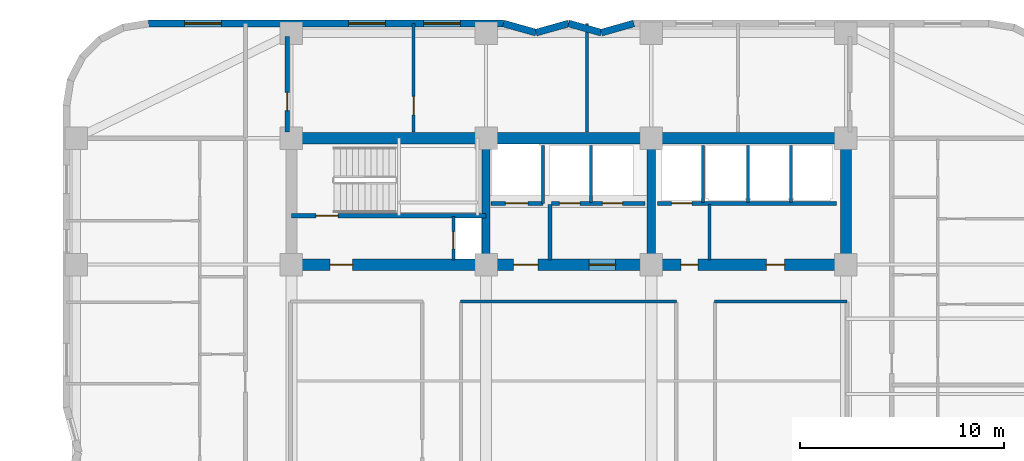
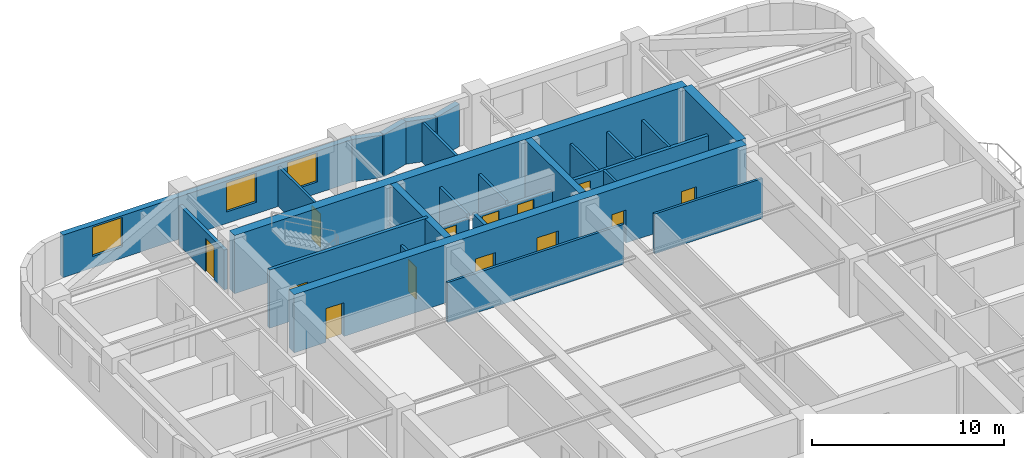
# One storey, part 6 of 9: 27 walls, 13 doors, 3 windows, 16 openings.
"""IFC4 building model written with IfcOpenShell, lengths in metres."""

from ifc_helpers import new_model, si_unit, direction, frame, frame_2d, origin, place, context, subcontext, project, spatial, rectangle, extrude, material, layer, layer_set, type_object, element, fill, save


model = new_model("IFC4")

# Units and contexts
model_context = context("Model", 3, precision=1e-05, world=origin(), true_north=direction((0.0, 1.0)))
body_context = subcontext(model_context, "Body", "Model", "MODEL_VIEW")
ifc_project = project(units=[si_unit("LENGTHUNIT", "METRE"), si_unit("AREAUNIT", "SQUARE_METRE"), si_unit("VOLUMEUNIT", "CUBIC_METRE"), si_unit("PLANEANGLEUNIT", "RADIAN"), si_unit("MASSUNIT", "GRAM", prefix="KILO")], contexts=[model_context])

# Site, building, storey
site_placement = place(None, origin())
site = spatial("IfcSite", under=ifc_project, at=site_placement, CompositionType="ELEMENT")
building_placement = place(site_placement, origin())
building = spatial("IfcBuilding", under=site, at=building_placement, Name="Svetorya Sky Lyceum", CompositionType="ELEMENT")
storey_placement = place(building_placement, frame((0.0, 0.0, 92.0)))
storey = spatial("IfcBuildingStorey", under=building, at=storey_placement, Name="L22", CompositionType="ELEMENT", Elevation=92.0)

# Walls
ifc_material_1 = material(Name="Concrete C40/50", Category="concrete")
ifc_layer_1 = layer(ifc_material_1, 0.39990234375)
ifc_layer_set_1 = layer_set([ifc_layer_1], Name="Concrete C40/50")
wall_type_1 = type_object("IfcWallType", Name="WL-CORE-400", PredefinedType="SHEAR", material=ifc_layer_set_1)
for number, where, z_axis, x_axis, name in (
    (1, (35.14990234375, 39.875, 0.0), (0.0, 0.0, 1.0), (0.0, 1.0, 0.0), "L22 NC Internal Shear Web WEB1"),
    (2, (43.25, 39.875, 0.0), (0.0, 0.0, 1.0), (0.0, 1.0, 0.0), "L22 NC Internal Shear Web WEB2"),
):
    element("IfcWall", number, at=place(storey_placement, frame(where, z_axis=z_axis, x_axis=x_axis)), inside=storey, type_object=wall_type_1, Name=name, PredefinedType="SHEAR", context=body_context, shape_type="SweptSolid", body=[
        extrude(rectangle(XDim=5.64990234375, YDim=0.39990234375, at=frame_2d((2.824951171875, 0.0))), origin(), (0.0, 0.0, 1.0), 3.699951171875),
    ])
ifc_material_2 = material(Name="Concrete C60/75", Category="concrete")
ifc_layer_2 = layer(ifc_material_2, 0.550048828125)
ifc_layer_set_2 = layer_set([ifc_layer_2], Name="Concrete C60/75")
wall_type_2 = type_object("IfcWallType", Name="WL-CORE-550", PredefinedType="SHEAR", material=ifc_layer_set_2)
wall_1_placement = place(storey_placement, frame((25.60009765625, 45.800048828125, 0.0), z_axis=(0.0, 0.0, 1.0), x_axis=(1.0, 0.0, 0.0)))
element("IfcWall", 3, at=wall_1_placement, inside=storey, type_object=wall_type_2, Name="L22 NC Outer Core Shear Wall", PredefinedType="SHEAR", context=body_context, shape_type="SweptSolid", body=[
    extrude(rectangle(XDim=27.199951171875, YDim=0.550048828125, at=frame_2d((13.60009765625, 0.0))), origin(), (0.0, 0.0, 1.0), 3.699951171875),
])
wall_2_placement = place(storey_placement, frame((52.800048828125, 39.875, 0.0), z_axis=(0.0, 0.0, 1.0), x_axis=(0.0, 1.0, 0.0)))
element("IfcWall", 4, at=wall_2_placement, inside=storey, type_object=wall_type_2, Name="L22 NC East Core Shear Wall", PredefinedType="SHEAR", context=body_context, shape_type="SweptSolid", body=[
    extrude(rectangle(XDim=5.64990234375, YDim=0.550048828125, at=frame_2d((2.824951171875, 0.0))), origin(), (0.0, 0.0, 1.0), 3.699951171875),
])

# Wall, openings, doors
wall_3_placement = place(storey_placement, frame((52.800048828125, 39.60009765625, 0.0), z_axis=(0.0, 0.0, 1.0), x_axis=(-1.0, 0.0, 0.0)))
wall_3 = element("IfcWall", 5, at=wall_3_placement, inside=storey, type_object=wall_type_2, Name="L22 NC Inner Core Shear Wall", PredefinedType="SHEAR", context=body_context, shape_type="SweptSolid", body=[
    extrude(rectangle(XDim=27.199951171875, YDim=0.550048828125, at=frame_2d((13.60009765625, 0.0))), origin(), (0.0, 0.0, 1.0), 3.699951171875),
])
opening_1_placement = place(wall_3_placement, frame((24.199951171875, 0.0, 0.0)))
opening_1 = element("IfcOpeningElement", 6, at=opening_1_placement, cuts=wall_3, Name="Opening D-ST1", PredefinedType="OPENING", context=body_context, shape_type="SweptSolid", body=[
    extrude(rectangle(XDim=1.10009765625, YDim=2.14990234375, at=frame_2d((0.550048828125, 1.074951171875))), frame((0.0, 0.284912109375, 0.0), z_axis=(0.0, -1.0, 0.0), x_axis=(1.0, 0.0, 0.0)), (0.0, 0.0, 1.0), 0.570068359375),
])
opening_2_placement = place(wall_3_placement, frame((15.10009765625, 0.0, 0.0)))
opening_2 = element("IfcOpeningElement", 7, at=opening_2_placement, cuts=wall_3, Name="Opening D-FL1", PredefinedType="OPENING", context=body_context, shape_type="SweptSolid", body=[
    extrude(rectangle(XDim=1.199951171875, YDim=2.14990234375, at=frame_2d((0.60009765625, 1.074951171875))), frame((0.0, 0.284912109375, 0.0), z_axis=(0.0, -1.0, 0.0), x_axis=(1.0, 0.0, 0.0)), (0.0, 0.0, 1.0), 0.570068359375),
])
opening_3_placement = place(wall_3_placement, frame((11.300048828125, 0.0, 0.0)))
opening_3 = element("IfcOpeningElement", 8, at=opening_3_placement, cuts=wall_3, Name="Opening D-LB1", PredefinedType="OPENING", context=body_context, shape_type="SweptSolid", body=[
    extrude(rectangle(XDim=1.300048828125, YDim=2.199951171875, at=frame_2d((0.64990234375, 1.10009765625))), frame((0.0, 0.284912109375, 0.0), z_axis=(0.0, -1.0, 0.0), x_axis=(1.0, 0.0, 0.0)), (0.0, 0.0, 1.0), 0.570068359375),
])
opening_4_placement = place(wall_3_placement, frame((7.25, 0.0, 0.0)))
opening_4 = element("IfcOpeningElement", 9, at=opening_4_placement, cuts=wall_3, Name="Opening D-CWC1", PredefinedType="OPENING", context=body_context, shape_type="SweptSolid", body=[
    extrude(rectangle(XDim=0.85009765625, YDim=2.10009765625, at=frame_2d((0.425048828125, 1.050048828125))), frame((0.0, 0.284912109375, 0.0), z_axis=(0.0, -1.0, 0.0), x_axis=(1.0, 0.0, 0.0)), (0.0, 0.0, 1.0), 0.570068359375),
])
opening_5_placement = place(wall_3_placement, frame((3.0, 0.0, 0.0)))
opening_5 = element("IfcOpeningElement", 10, at=opening_5_placement, cuts=wall_3, Name="Opening D-RM1", PredefinedType="OPENING", context=body_context, shape_type="SweptSolid", body=[
    extrude(rectangle(XDim=0.89990234375, YDim=2.10009765625, at=frame_2d((0.449951171875, 1.050048828125))), frame((0.0, 0.284912109375, 0.0), z_axis=(0.0, -1.0, 0.0), x_axis=(1.0, 0.0, 0.0)), (0.0, 0.0, 1.0), 0.570068359375),
])
ifc_material_3 = material(Name="Fire-rated galvanized steel core service closet door", Category="steel")
door_type_1 = type_object("IfcDoorType", Name="DR-CWET-850", OperationType="SINGLE_SWING_LEFT", PredefinedType="DOOR", material=ifc_material_3)
door_1_placement = place(opening_4_placement, origin())
door_1 = element("IfcDoor", 11, at=door_1_placement, inside=storey, type_object=door_type_1, Name="L22 Mid-Rise Lift PM3 Lobby Door", OperationType="SINGLE_SWING_LEFT", OverallHeight=2.10009765625, OverallWidth=0.85009765625, PredefinedType="DOOR", context=body_context, shape_type="SweptSolid", body=[
    extrude(rectangle(XDim=0.85009765625, YDim=2.10009765625, at=frame_2d((0.425048828125, 1.050048828125))), frame((0.0, 0.02490234375, 0.0), z_axis=(0.0, -1.0, 0.0), x_axis=(1.0, 0.0, 0.0)), (0.0, 0.0, 1.0), 0.050048828125),
])
fill(opening_4, door_1)
ifc_material_4 = material(Name="Powder-coated insulated galvanized stair fire door")
door_type_2 = type_object("IfcDoorType", Name="DR-FIRE-1100", OperationType="SINGLE_SWING_LEFT", PredefinedType="DOOR", material=ifc_material_4)
door_2_placement = place(opening_1_placement, origin())
door_2 = element("IfcDoor", 12, at=door_2_placement, inside=storey, type_object=door_type_2, Name="L22 North Stair Airlock Door", OperationType="SINGLE_SWING_LEFT", OverallHeight=2.14990234375, OverallWidth=1.10009765625, PredefinedType="DOOR", context=body_context, shape_type="SweptSolid", body=[
    extrude(rectangle(XDim=1.10009765625, YDim=2.14990234375, at=frame_2d((0.550048828125, 1.074951171875))), frame((0.0, 0.02490234375, 0.0), z_axis=(0.0, -1.0, 0.0), x_axis=(1.0, 0.0, 0.0)), (0.0, 0.0, 1.0), 0.050048828125),
])
fill(opening_1, door_2)
ifc_material_5 = material(Name="Powder-coated insulated galvanized fire door")
door_type_3 = type_object("IfcDoorType", Name="DR-FIRE-1200", OperationType="SINGLE_SWING_LEFT", PredefinedType="DOOR", material=ifc_material_5)
door_3_placement = place(opening_2_placement, origin())
door_3 = element("IfcDoor", 13, at=door_3_placement, inside=storey, type_object=door_type_3, Name="L22 North Firefighting Lift Lobby Door", OperationType="SINGLE_SWING_RIGHT", OverallHeight=2.14990234375, OverallWidth=1.199951171875, PredefinedType="DOOR", context=body_context, shape_type="SweptSolid", body=[
    extrude(rectangle(XDim=1.199951171875, YDim=2.14990234375, at=frame_2d((0.60009765625, 1.074951171875))), frame((0.0, 0.02490234375, 0.0), z_axis=(0.0, -1.0, 0.0), x_axis=(1.0, 0.0, 0.0)), (0.0, 0.0, 1.0), 0.050048828125),
])
fill(opening_2, door_3)
ifc_material_6 = material(Name="Lacquered birch veneer internal door")
door_type_4 = type_object("IfcDoorType", Name="DR-INT-900", OperationType="SINGLE_SWING_LEFT", PredefinedType="DOOR", material=ifc_material_6)
door_4_placement = place(opening_5_placement, origin())
door_4 = element("IfcDoor", 14, at=door_4_placement, inside=storey, type_object=door_type_4, Name="L22 Mid-Rise Store Door", OperationType="SINGLE_SWING_RIGHT", OverallHeight=2.10009765625, OverallWidth=0.89990234375, PredefinedType="DOOR", context=body_context, shape_type="SweptSolid", body=[
    extrude(rectangle(XDim=0.89990234375, YDim=2.10009765625, at=frame_2d((0.449951171875, 1.050048828125))), frame((0.0, 0.02490234375, 0.0), z_axis=(0.0, -1.0, 0.0), x_axis=(1.0, 0.0, 0.0)), (0.0, 0.0, 1.0), 0.050048828125),
])
fill(opening_5, door_4)
ifc_material_7 = material(Name="Glazed fire-rated aluminium lobby door", Category="aluminium")
door_type_5 = type_object("IfcDoorType", Name="DR-LOB-1300", OperationType="SINGLE_SWING_LEFT", PredefinedType="DOOR", material=ifc_material_7)
door_5_placement = place(opening_3_placement, origin())
door_5 = element("IfcDoor", 15, at=door_5_placement, inside=storey, type_object=door_type_5, Name="L22 Mid-Rise Lift Lobby West Door", OperationType="SINGLE_SWING_LEFT", OverallHeight=2.199951171875, OverallWidth=1.300048828125, PredefinedType="DOOR", context=body_context, shape_type="SweptSolid", body=[
    extrude(rectangle(XDim=1.300048828125, YDim=2.199951171875, at=frame_2d((0.64990234375, 1.10009765625))), frame((0.0, 0.02490234375, 0.0), z_axis=(0.0, -1.0, 0.0), x_axis=(1.0, 0.0, 0.0)), (0.0, 0.0, 1.0), 0.050048828125),
])
fill(opening_3, door_5)

# Walls
ifc_material_8 = material(Name="Putilovo limestone rainscreen on autoclaved cellular masonry", Category="masonry")
ifc_layer_3 = layer(ifc_material_8, 0.340087890625)
ifc_layer_set_3 = layer_set([ifc_layer_3], Name="Putilovo limestone rainscreen on autoclaved cellular masonry")
wall_type_3 = type_object("IfcWallType", Name="WL-EXT-340", PredefinedType="SOLIDWALL", material=ifc_layer_set_3)
wall_4_placement = place(storey_placement, frame((42.39990234375, 51.429931640625, 0.0), z_axis=(0.0, 0.0, 1.0), x_axis=(-0.962652136636, -0.270741322725, 0.0)))
element("IfcWall", 16, at=wall_4_placement, inside=storey, type_object=wall_type_3, Name="L22 Limestone Exterior Wall 30M", PredefinedType="SOLIDWALL", context=body_context, shape_type="SweptSolid", body=[
    extrude(rectangle(XDim=1.661865234375, YDim=0.340087890625, at=frame_2d((0.8310546875, 0.0))), origin(), (0.0, 0.0, 1.0), 2.699951171875),
])
wall_5_placement = place(storey_placement, frame((40.800048828125, 50.97998046875, 0.0), z_axis=(0.0, 0.0, 1.0), x_axis=(-0.962662902433, 0.270703040766, 0.0)))
element("IfcWall", 17, at=wall_5_placement, inside=storey, type_object=wall_type_3, Name="L22 Limestone Exterior Wall 31M", PredefinedType="SOLIDWALL", context=body_context, shape_type="SweptSolid", body=[
    extrude(rectangle(XDim=1.662109375, YDim=0.340087890625, at=frame_2d((0.8310546875, 0.0))), origin(), (0.0, 0.0, 1.0), 2.699951171875),
])
wall_6_placement = place(storey_placement, frame((39.199951171875, 51.429931640625, 0.0), z_axis=(0.0, 0.0, 1.0), x_axis=(-0.962652136636, -0.270741322725, 0.0)))
element("IfcWall", 18, at=wall_6_placement, inside=storey, type_object=wall_type_3, Name="L22 Limestone Exterior Wall 32M", PredefinedType="SOLIDWALL", context=body_context, shape_type="SweptSolid", body=[
    extrude(rectangle(XDim=1.661865234375, YDim=0.340087890625, at=frame_2d((0.8310546875, 0.0))), origin(), (0.0, 0.0, 1.0), 2.699951171875),
])
wall_7_placement = place(storey_placement, frame((37.60009765625, 50.97998046875, 0.0), z_axis=(0.0, 0.0, 1.0), x_axis=(-0.962662902433, 0.270703040766, 0.0)))
element("IfcWall", 19, at=wall_7_placement, inside=storey, type_object=wall_type_3, Name="L22 Limestone Exterior Wall 33M", PredefinedType="SOLIDWALL", context=body_context, shape_type="SweptSolid", body=[
    extrude(rectangle(XDim=1.662109375, YDim=0.340087890625, at=frame_2d((0.8310546875, 0.0))), origin(), (0.0, 0.0, 1.0), 2.699951171875),
])

# Wall, openings, windows
wall_8_placement = place(storey_placement, frame((36.0, 51.429931640625, 0.0), z_axis=(0.0, 0.0, 1.0), x_axis=(-1.0, 0.0, 0.0)))
wall_8 = element("IfcWall", 20, at=wall_8_placement, inside=storey, type_object=wall_type_3, Name="L22 Limestone Exterior Wall 34M", PredefinedType="SOLIDWALL", context=body_context, shape_type="SweptSolid", body=[
    extrude(rectangle(XDim=17.39990234375, YDim=0.340087890625, at=frame_2d((8.699951171875, 0.0))), origin(), (0.0, 0.0, 1.0), 2.699951171875),
])
opening_6_placement = place(wall_8_placement, frame((2.112548828125, 0.0, 0.72998046875)))
opening_6 = element("IfcOpeningElement", 21, at=opening_6_placement, cuts=wall_8, Name="Opening W-R1", PredefinedType="OPENING", context=body_context, shape_type="SweptSolid", body=[
    extrude(rectangle(XDim=1.800048828125, YDim=1.85009765625, at=frame_2d((0.89990234375, 0.925048828125))), frame((0.0, 0.179931640625, 0.0), z_axis=(0.0, -1.0, 0.0), x_axis=(1.0, 0.0, 0.0)), (0.0, 0.0, 1.0), 0.360107421875),
])
opening_7_placement = place(wall_8_placement, frame((5.78759765625, 0.0, 0.72998046875)))
opening_7 = element("IfcOpeningElement", 22, at=opening_7_placement, cuts=wall_8, Name="Opening W-R1", PredefinedType="OPENING", context=body_context, shape_type="SweptSolid", body=[
    extrude(rectangle(XDim=1.800048828125, YDim=1.85009765625, at=frame_2d((0.89990234375, 0.925048828125))), frame((0.0, 0.179931640625, 0.0), z_axis=(0.0, -1.0, 0.0), x_axis=(1.0, 0.0, 0.0)), (0.0, 0.0, 1.0), 0.360107421875),
])
opening_8_placement = place(wall_8_placement, frame((13.83740234375, 0.0, 0.72998046875)))
opening_8 = element("IfcOpeningElement", 23, at=opening_8_placement, cuts=wall_8, Name="Opening W-R1", PredefinedType="OPENING", context=body_context, shape_type="SweptSolid", body=[
    extrude(rectangle(XDim=1.800048828125, YDim=1.85009765625, at=frame_2d((0.89990234375, 0.925048828125))), frame((0.0, 0.179931640625, 0.0), z_axis=(0.0, -1.0, 0.0), x_axis=(1.0, 0.0, 0.0)), (0.0, 0.0, 1.0), 0.360107421875),
])
ifc_material_9 = material(Name="Thermally broken aluminium frame with triple low-E glazing", Category="aluminium")
window_type = type_object("IfcWindowType", Name="WN-RES-180", PartitioningType="DOUBLE_PANEL_VERTICAL", PredefinedType="WINDOW", material=ifc_material_9)
window_1_placement = place(opening_6_placement, origin())
window_1 = element("IfcWindow", 24, at=window_1_placement, inside=storey, type_object=window_type, Name="L22 Facade Window W-R1.34M.1", OverallHeight=1.85009765625, OverallWidth=1.800048828125, PartitioningType="SINGLE_PANEL", PredefinedType="WINDOW", context=body_context, shape_type="SweptSolid", body=[
    extrude(rectangle(XDim=1.800048828125, YDim=1.85009765625, at=frame_2d((0.89990234375, 0.925048828125))), frame((0.0, 0.030029296875, 0.0), z_axis=(0.0, -1.0, 0.0), x_axis=(1.0, 0.0, 0.0)), (0.0, 0.0, 1.0), 0.06005859375),
])
fill(opening_6, window_1)
window_2_placement = place(opening_7_placement, origin())
window_2 = element("IfcWindow", 25, at=window_2_placement, inside=storey, type_object=window_type, Name="L22 Facade Window W-R1.34M.2", OverallHeight=1.85009765625, OverallWidth=1.800048828125, PartitioningType="SINGLE_PANEL", PredefinedType="WINDOW", context=body_context, shape_type="SweptSolid", body=[
    extrude(rectangle(XDim=1.800048828125, YDim=1.85009765625, at=frame_2d((0.89990234375, 0.925048828125))), frame((0.0, 0.030029296875, 0.0), z_axis=(0.0, -1.0, 0.0), x_axis=(1.0, 0.0, 0.0)), (0.0, 0.0, 1.0), 0.06005859375),
])
fill(opening_7, window_2)
window_3_placement = place(opening_8_placement, origin())
window_3 = element("IfcWindow", 26, at=window_3_placement, inside=storey, type_object=window_type, Name="L22 Facade Window W-R1.34M.3", OverallHeight=1.85009765625, OverallWidth=1.800048828125, PartitioningType="SINGLE_PANEL", PredefinedType="WINDOW", context=body_context, shape_type="SweptSolid", body=[
    extrude(rectangle(XDim=1.800048828125, YDim=1.85009765625, at=frame_2d((0.89990234375, 0.925048828125))), frame((0.0, 0.030029296875, 0.0), z_axis=(0.0, -1.0, 0.0), x_axis=(1.0, 0.0, 0.0)), (0.0, 0.0, 1.0), 0.06005859375),
])
fill(opening_8, window_3)

# Wall, opening, door
ifc_material_10 = material(Name="Autoclaved cellular masonry blockwork with acoustic render", Category="masonry")
ifc_layer_4 = layer(ifc_material_10, 0.14990234375)
ifc_layer_set_4 = layer_set([ifc_layer_4], Name="Autoclaved cellular masonry blockwork with acoustic render")
wall_type_4 = type_object("IfcWallType", Name="WL-PART-150", PredefinedType="PARTITIONING", material=ifc_layer_set_4)
wall_9_placement = place(storey_placement, frame((33.550048828125, 39.820068359375, 0.0), z_axis=(0.0, 0.0, 1.0), x_axis=(0.0, 1.0, 0.0)))
wall_9 = element("IfcWall", 27, at=wall_9_placement, inside=storey, type_object=wall_type_4, Name="L22 Interior Partition NC-RSRW", PredefinedType="PARTITIONING", context=body_context, shape_type="SweptSolid", body=[
    extrude(rectangle(XDim=2.1298828125, YDim=0.14990234375, at=frame_2d((1.06494140625, 0.0))), origin(), (0.0, 0.0, 1.0), 2.530029296875),
])
opening_9_placement = place(wall_9_placement, frame((0.550048828125, 0.0, 0.0)))
opening_9 = element("IfcOpeningElement", 28, at=opening_9_placement, cuts=wall_9, Name="Opening D-SH1", PredefinedType="OPENING", context=body_context, shape_type="SweptSolid", body=[
    extrude(rectangle(XDim=0.85009765625, YDim=2.050048828125, at=frame_2d((0.425048828125, 1.02490234375))), frame((0.0, 0.0849609375, 0.0), z_axis=(0.0, -1.0, 0.0), x_axis=(1.0, 0.0, 0.0)), (0.0, 0.0, 1.0), 0.169921875),
])
ifc_material_11 = material(Name="Insulated galvanized riser inspection fire door")
door_type_6 = type_object("IfcDoorType", Name="DR-SHFT-850", OperationType="SINGLE_SWING_LEFT", PredefinedType="TRAPDOOR", material=ifc_material_11)
door_6_placement = place(opening_9_placement, origin())
door_6 = element("IfcDoor", 29, at=door_6_placement, inside=storey, type_object=door_type_6, Name="L22 North Riser Access Door", OperationType="SINGLE_SWING_LEFT", OverallHeight=2.050048828125, OverallWidth=0.85009765625, PredefinedType="TRAPDOOR", context=body_context, shape_type="SweptSolid", body=[
    extrude(rectangle(XDim=0.85009765625, YDim=2.050048828125, at=frame_2d((0.425048828125, 1.02490234375))), frame((0.0, 0.02490234375, 0.0), z_axis=(0.0, -1.0, 0.0), x_axis=(1.0, 0.0, 0.0)), (0.0, 0.0, 1.0), 0.050048828125),
])
fill(opening_9, door_6)

# Walls
wall_10_placement = place(storey_placement, frame((37.949951171875, 42.60009765625, 0.0), z_axis=(0.0, 0.0, 1.0), x_axis=(0.0, 1.0, 0.0)))
element("IfcWall", 30, at=wall_10_placement, inside=storey, type_object=wall_type_4, Name="L22 Interior Partition NC-FL1SIDE", PredefinedType="PARTITIONING", context=body_context, shape_type="SweptSolid", body=[
    extrude(rectangle(XDim=2.849853515625, YDim=0.14990234375, at=frame_2d((1.4248046875, 0.0))), origin(), (0.0, 0.0, 1.0), 2.530029296875),
])
for number, where, z_axis, x_axis, name in (
    (31, (40.300048828125, 42.64990234375, 0.0), (0.0, 0.0, 1.0), (0.0, 1.0, 0.0), "L22 Interior Partition NC-PM-D1"),
    (32, (45.800048828125, 42.64990234375, 0.0), (0.0, 0.0, 1.0), (0.0, 1.0, 0.0), "L22 Interior Partition NC-PM3-D"),
    (33, (48.0, 42.64990234375, 0.0), (0.0, 0.0, 1.0), (0.0, 1.0, 0.0), "L22 Interior Partition NC-PH-D1"),
    (34, (50.10009765625, 42.64990234375, 0.0), (0.0, 0.0, 1.0), (0.0, 1.0, 0.0), "L22 Interior Partition NC-PH-D2"),
):
    element("IfcWall", number, at=place(storey_placement, frame(where, z_axis=z_axis, x_axis=x_axis)), inside=storey, type_object=wall_type_4, Name=name, PredefinedType="PARTITIONING", context=body_context, shape_type="SweptSolid", body=[
        extrude(rectangle(XDim=2.800048828125, YDim=0.14990234375, at=frame_2d((1.39990234375, 0.0))), origin(), (0.0, 0.0, 1.0), 2.530029296875),
    ])
wall_11_placement = place(storey_placement, frame((46.10009765625, 39.820068359375, 0.0), z_axis=(0.0, 0.0, 1.0), x_axis=(0.0, 1.0, 0.0)))
element("IfcWall", 35, at=wall_11_placement, inside=storey, type_object=wall_type_4, Name="L22 Interior Partition NC-PM3SEP", PredefinedType="PARTITIONING", context=body_context, shape_type="SweptSolid", body=[
    extrude(rectangle(XDim=2.72998046875, YDim=0.14990234375, at=frame_2d((1.364990234375, 0.0))), origin(), (0.0, 0.0, 1.0), 2.530029296875),
])
wall_12_placement = place(storey_placement, frame((33.89990234375, 37.800048828125, 0.0), z_axis=(0.0, 0.0, 1.0), x_axis=(1.0, 0.0, 0.0)))
element("IfcWall", 36, at=wall_12_placement, inside=storey, type_object=wall_type_4, Name="L22 Interior Partition RL-CN-M", PredefinedType="PARTITIONING", context=body_context, shape_type="SweptSolid", body=[
    extrude(rectangle(XDim=10.60009765625, YDim=0.14990234375, at=frame_2d((5.300048828125, 0.0))), origin(), (0.0, 0.0, 1.0), 2.530029296875),
])
wall_13_placement = place(storey_placement, frame((46.35009765625, 37.800048828125, 0.0), z_axis=(0.0, 0.0, 1.0), x_axis=(1.0, 0.0, 0.0)))
element("IfcWall", 37, at=wall_13_placement, inside=storey, type_object=wall_type_4, Name="L22 Interior Partition RL-CN-E", PredefinedType="PARTITIONING", context=body_context, shape_type="SweptSolid", body=[
    extrude(rectangle(XDim=6.5, YDim=0.14990234375, at=frame_2d((3.25, 0.0))), origin(), (0.0, 0.0, 1.0), 2.530029296875),
])

# Wall, opening, door
wall_14_placement = place(storey_placement, frame((31.60009765625, 46.10009765625, 0.0), z_axis=(0.0, 0.0, 1.0), x_axis=(0.0, 1.0, 0.0)))
wall_14 = element("IfcWall", 38, at=wall_14_placement, inside=storey, type_object=wall_type_4, Name="L22 Interior Partition N4-D1", PredefinedType="PARTITIONING", context=body_context, shape_type="SweptSolid", body=[
    extrude(rectangle(XDim=5.329833984375, YDim=0.14990234375, at=frame_2d((2.6650390625, 0.0))), origin(), (0.0, 0.0, 1.0), 2.530029296875),
])
opening_10_placement = place(wall_14_placement, frame((0.85009765625, 0.0, 0.0)))
opening_10 = element("IfcOpeningElement", 39, at=opening_10_placement, cuts=wall_14, Name="Opening D-RM1", PredefinedType="OPENING", context=body_context, shape_type="SweptSolid", body=[
    extrude(rectangle(XDim=0.89990234375, YDim=2.10009765625, at=frame_2d((0.449951171875, 1.050048828125))), frame((0.0, 0.0849609375, 0.0), z_axis=(0.0, -1.0, 0.0), x_axis=(1.0, 0.0, 0.0)), (0.0, 0.0, 1.0), 0.169921875),
])
door_7_placement = place(opening_10_placement, origin())
door_7 = element("IfcDoor", 40, at=door_7_placement, inside=storey, type_object=door_type_4, Name="L22 North Suite Door 1", OperationType="SINGLE_SWING_RIGHT", OverallHeight=2.10009765625, OverallWidth=0.89990234375, PredefinedType="DOOR", context=body_context, shape_type="SweptSolid", body=[
    extrude(rectangle(XDim=0.89990234375, YDim=2.10009765625, at=frame_2d((0.449951171875, 1.050048828125))), frame((0.0, 0.02490234375, 0.0), z_axis=(0.0, -1.0, 0.0), x_axis=(1.0, 0.0, 0.0)), (0.0, 0.0, 1.0), 0.050048828125),
])
fill(opening_10, door_7)

# Wall
wall_15_placement = place(storey_placement, frame((40.10009765625, 46.10009765625, 0.0), z_axis=(0.0, 0.0, 1.0), x_axis=(0.0, 1.0, 0.0)))
element("IfcWall", 41, at=wall_15_placement, inside=storey, type_object=wall_type_4, Name="L22 Interior Partition N4-D2", PredefinedType="PARTITIONING", context=body_context, shape_type="SweptSolid", body=[
    extrude(rectangle(XDim=5.329833984375, YDim=0.14990234375, at=frame_2d((2.6650390625, 0.0))), origin(), (0.0, 0.0, 1.0), 2.530029296875),
])

# Wall, opening, door
ifc_material_12 = material(Name="Autoclaved cellular masonry blockwork with gypsum plaster", Category="masonry")
ifc_layer_5 = layer(ifc_material_12, 0.199951171875)
ifc_layer_set_5 = layer_set([ifc_layer_5], Name="Autoclaved cellular masonry blockwork with gypsum plaster")
wall_type_5 = type_object("IfcWallType", Name="WL-PART-200", PredefinedType="PARTITIONING", material=ifc_layer_set_5)
wall_16_placement = place(storey_placement, frame((37.949951171875, 42.60009765625, 0.0), z_axis=(0.0, 0.0, 1.0), x_axis=(-1.0, 0.0, 0.0)))
wall_16 = element("IfcWall", 42, at=wall_16_placement, inside=storey, type_object=wall_type_5, Name="L22 Interior Partition NC-FL1W", PredefinedType="PARTITIONING", context=body_context, shape_type="SweptSolid", body=[
    extrude(rectangle(XDim=2.550048828125, YDim=0.199951171875, at=frame_2d((1.27490234375, 0.0))), origin(), (0.0, 0.0, 1.0), 2.300048828125),
])
opening_11_placement = place(wall_16_placement, frame((0.75, 0.0, 0.0)))
opening_11 = element("IfcOpeningElement", 43, at=opening_11_placement, cuts=wall_16, Name="Opening LD-FL", PredefinedType="OPENING", context=body_context, shape_type="SweptSolid", body=[
    extrude(rectangle(XDim=1.10009765625, YDim=2.14990234375, at=frame_2d((0.550048828125, 1.074951171875))), frame((0.0, 0.10986328125, 0.0), z_axis=(0.0, -1.0, 0.0), x_axis=(1.0, 0.0, 0.0)), (0.0, 0.0, 1.0), 0.219970703125),
])
ifc_material_13 = material(Name="Fire-rated stainless AISI 304 firefighting lift landing door")
door_type_7 = type_object("IfcDoorType", Name="DR-LIFT-1100", OperationType="SLIDING_TO_LEFT", PredefinedType="DOOR", material=ifc_material_13)
door_8_placement = place(opening_11_placement, origin())
door_8 = element("IfcDoor", 44, at=door_8_placement, inside=storey, type_object=door_type_7, Name="L22 Firefighting Lift FL1 Landing Door", OperationType="SLIDING_TO_LEFT", OverallHeight=2.14990234375, OverallWidth=1.10009765625, PredefinedType="DOOR", context=body_context, shape_type="SweptSolid", body=[
    extrude(rectangle(XDim=1.10009765625, YDim=2.14990234375, at=frame_2d((0.550048828125, 1.074951171875))), frame((0.0, 0.02490234375, 0.0), z_axis=(0.0, -1.0, 0.0), x_axis=(1.0, 0.0, 0.0)), (0.0, 0.0, 1.0), 0.050048828125),
])
fill(opening_11, door_8)

# Wall
wall_17_placement = place(storey_placement, frame((38.280029296875, 39.820068359375, 0.0), z_axis=(0.0, 0.0, 1.0), x_axis=(0.0, 1.0, 0.0)))
element("IfcWall", 45, at=wall_17_placement, inside=storey, type_object=wall_type_5, Name="L22 Interior Partition NC-FFLDIV", PredefinedType="PARTITIONING", context=body_context, shape_type="SweptSolid", body=[
    extrude(rectangle(XDim=2.72998046875, YDim=0.199951171875, at=frame_2d((1.364990234375, 0.0))), origin(), (0.0, 0.0, 1.0), 2.530029296875),
])

# Wall, openings, doors
wall_18_placement = place(storey_placement, frame((42.949951171875, 42.60009765625, 0.0), z_axis=(0.0, 0.0, 1.0), x_axis=(-1.0, 0.0, 0.0)))
wall_18 = element("IfcWall", 46, at=wall_18_placement, inside=storey, type_object=wall_type_5, Name="L22 Interior Partition NC-PM12W", PredefinedType="PARTITIONING", context=body_context, shape_type="SweptSolid", body=[
    extrude(rectangle(XDim=4.599853515625, YDim=0.199951171875, at=frame_2d((2.2998046875, 0.0))), origin(), (0.0, 0.0, 1.0), 2.300048828125),
])
opening_12_placement = place(wall_18_placement, frame((3.199951171875, 0.0, 0.0)))
opening_12 = element("IfcOpeningElement", 47, at=opening_12_placement, cuts=wall_18, Name="Opening LD-P1", PredefinedType="OPENING", context=body_context, shape_type="SweptSolid", body=[
    extrude(rectangle(XDim=1.0, YDim=2.14990234375, at=frame_2d((0.5, 1.074951171875))), frame((0.0, 0.10986328125, 0.0), z_axis=(0.0, -1.0, 0.0), x_axis=(1.0, 0.0, 0.0)), (0.0, 0.0, 1.0), 0.219970703125),
])
opening_13_placement = place(wall_18_placement, frame((1.10009765625, 0.0, 0.0)))
opening_13 = element("IfcOpeningElement", 48, at=opening_13_placement, cuts=wall_18, Name="Opening LD-P1", PredefinedType="OPENING", context=body_context, shape_type="SweptSolid", body=[
    extrude(rectangle(XDim=1.0, YDim=2.14990234375, at=frame_2d((0.5, 1.074951171875))), frame((0.0, 0.10986328125, 0.0), z_axis=(0.0, -1.0, 0.0), x_axis=(1.0, 0.0, 0.0)), (0.0, 0.0, 1.0), 0.219970703125),
])
ifc_material_14 = material(Name="Champagne-anodized stainless passenger lift landing door")
door_type_8 = type_object("IfcDoorType", Name="DR-LIFT-1000", OperationType="SLIDING_TO_LEFT", PredefinedType="DOOR", material=ifc_material_14)
door_9_placement = place(opening_12_placement, origin())
door_9 = element("IfcDoor", 49, at=door_9_placement, inside=storey, type_object=door_type_8, Name="L22 Passenger Lift PM1 Landing Door", OperationType="SLIDING_TO_LEFT", OverallHeight=2.14990234375, OverallWidth=1.0, PredefinedType="DOOR", context=body_context, shape_type="SweptSolid", body=[
    extrude(rectangle(XDim=1.0, YDim=2.14990234375, at=frame_2d((0.5, 1.074951171875))), frame((0.0, 0.02490234375, 0.0), z_axis=(0.0, -1.0, 0.0), x_axis=(1.0, 0.0, 0.0)), (0.0, 0.0, 1.0), 0.050048828125),
])
fill(opening_12, door_9)
door_10_placement = place(opening_13_placement, origin())
door_10 = element("IfcDoor", 50, at=door_10_placement, inside=storey, type_object=door_type_8, Name="L22 Passenger Lift PM2 Landing Door", OperationType="SLIDING_TO_LEFT", OverallHeight=2.14990234375, OverallWidth=1.0, PredefinedType="DOOR", context=body_context, shape_type="SweptSolid", body=[
    extrude(rectangle(XDim=1.0, YDim=2.14990234375, at=frame_2d((0.5, 1.074951171875))), frame((0.0, 0.02490234375, 0.0), z_axis=(0.0, -1.0, 0.0), x_axis=(1.0, 0.0, 0.0)), (0.0, 0.0, 1.0), 0.050048828125),
])
fill(opening_13, door_10)

# Wall, opening, door
wall_19_placement = place(storey_placement, frame((52.35009765625, 42.60009765625, 0.0), z_axis=(0.0, 0.0, 1.0), x_axis=(-1.0, 0.0, 0.0)))
wall_19 = element("IfcWall", 51, at=wall_19_placement, inside=storey, type_object=wall_type_5, Name="L22 Interior Partition NC-PHEW", PredefinedType="PARTITIONING", context=body_context, shape_type="SweptSolid", body=[
    extrude(rectangle(XDim=8.800048828125, YDim=0.199951171875, at=frame_2d((4.39990234375, 0.0))), origin(), (0.0, 0.0, 1.0), 2.530029296875),
])
opening_14_placement = place(wall_19_placement, frame((7.10009765625, 0.0, 0.0)))
opening_14 = element("IfcOpeningElement", 52, at=opening_14_placement, cuts=wall_19, Name="Opening LD-P1", PredefinedType="OPENING", context=body_context, shape_type="SweptSolid", body=[
    extrude(rectangle(XDim=1.0, YDim=2.14990234375, at=frame_2d((0.5, 1.074951171875))), frame((0.0, 0.10986328125, 0.0), z_axis=(0.0, -1.0, 0.0), x_axis=(1.0, 0.0, 0.0)), (0.0, 0.0, 1.0), 0.219970703125),
])
door_11_placement = place(opening_14_placement, origin())
door_11 = element("IfcDoor", 53, at=door_11_placement, inside=storey, type_object=door_type_8, Name="L22 Passenger Lift PM3 Landing Door", OperationType="SLIDING_TO_LEFT", OverallHeight=2.14990234375, OverallWidth=1.0, PredefinedType="DOOR", context=body_context, shape_type="SweptSolid", body=[
    extrude(rectangle(XDim=1.0, YDim=2.14990234375, at=frame_2d((0.5, 1.074951171875))), frame((0.0, 0.02490234375, 0.0), z_axis=(0.0, -1.0, 0.0), x_axis=(1.0, 0.0, 0.0)), (0.0, 0.0, 1.0), 0.050048828125),
])
fill(opening_14, door_11)

wall_20_placement = place(storey_placement, frame((25.39990234375, 46.10009765625, 0.0), z_axis=(0.0, 0.0, 1.0), x_axis=(0.0, 1.0, 0.0)))
wall_20 = element("IfcWall", 54, at=wall_20_placement, inside=storey, type_object=wall_type_5, Name="L22 Interior Partition N4-EW", PredefinedType="PARTITIONING", context=body_context, shape_type="SweptSolid", body=[
    extrude(rectangle(XDim=4.679931640625, YDim=0.199951171875, at=frame_2d((2.33984375, 0.0))), origin(), (0.0, 0.0, 1.0), 2.530029296875),
])
opening_15_placement = place(wall_20_placement, frame((1.050048828125, 0.0, 0.0)))
opening_15 = element("IfcOpeningElement", 55, at=opening_15_placement, cuts=wall_20, Name="Opening D-RM1", PredefinedType="OPENING", context=body_context, shape_type="SweptSolid", body=[
    extrude(rectangle(XDim=0.89990234375, YDim=2.10009765625, at=frame_2d((0.449951171875, 1.050048828125))), frame((0.0, 0.10986328125, 0.0), z_axis=(0.0, -1.0, 0.0), x_axis=(1.0, 0.0, 0.0)), (0.0, 0.0, 1.0), 0.219970703125),
])
door_12_placement = place(opening_15_placement, origin())
door_12 = element("IfcDoor", 56, at=door_12_placement, inside=storey, type_object=door_type_4, Name="L22 NW Study Door", OperationType="SINGLE_SWING_RIGHT", OverallHeight=2.10009765625, OverallWidth=0.89990234375, PredefinedType="DOOR", context=body_context, shape_type="SweptSolid", body=[
    extrude(rectangle(XDim=0.89990234375, YDim=2.10009765625, at=frame_2d((0.449951171875, 1.050048828125))), frame((0.0, 0.02490234375, 0.0), z_axis=(0.0, -1.0, 0.0), x_axis=(1.0, 0.0, 0.0)), (0.0, 0.0, 1.0), 0.050048828125),
])
fill(opening_15, door_12)

ifc_material_15 = material(Name="Concrete C50/60", Category="concrete")
ifc_layer_6 = layer(ifc_material_15, 0.199951171875)
ifc_layer_set_6 = layer_set([ifc_layer_6], Name="Concrete C50/60")
wall_type_6 = type_object("IfcWallType", Name="WL-SHW-200", PredefinedType="SHEAR", material=ifc_layer_set_6)
wall_21_placement = place(storey_placement, frame((35.14990234375, 42.0, 0.0), z_axis=(0.0, 0.0, 1.0), x_axis=(-1.0, 0.0, 0.0)))
wall_21 = element("IfcWall", 57, at=wall_21_placement, inside=storey, type_object=wall_type_6, Name="L22 Structural Stair Shaft Wall NC-STW", PredefinedType="SHEAR", context=body_context, shape_type="SweptSolid", body=[
    extrude(rectangle(XDim=9.5498046875, YDim=0.199951171875, at=frame_2d((4.77490234375, 0.0))), origin(), (0.0, 0.0, 1.0), 3.699951171875),
])
opening_16_placement = place(wall_21_placement, frame((7.25, 0.0, 0.0)))
opening_16 = element("IfcOpeningElement", 58, at=opening_16_placement, cuts=wall_21, Name="Opening D-ST1", PredefinedType="OPENING", context=body_context, shape_type="SweptSolid", body=[
    extrude(rectangle(XDim=1.10009765625, YDim=2.14990234375, at=frame_2d((0.550048828125, 1.074951171875))), frame((0.0, 0.10986328125, 0.0), z_axis=(0.0, -1.0, 0.0), x_axis=(1.0, 0.0, 0.0)), (0.0, 0.0, 1.0), 0.219970703125),
])
door_13_placement = place(opening_16_placement, origin())
door_13 = element("IfcDoor", 59, at=door_13_placement, inside=storey, type_object=door_type_2, Name="L22 Stair ST-N Vestibule Fire Door", OperationType="SINGLE_SWING_RIGHT", OverallHeight=2.14990234375, OverallWidth=1.10009765625, PredefinedType="DOOR", context=body_context, shape_type="SweptSolid", body=[
    extrude(rectangle(XDim=1.10009765625, YDim=2.14990234375, at=frame_2d((0.550048828125, 1.074951171875))), frame((0.0, 0.02490234375, 0.0), z_axis=(0.0, -1.0, 0.0), x_axis=(1.0, 0.0, 0.0)), (0.0, 0.0, 1.0), 0.050048828125),
])
fill(opening_16, door_13)

save(model, "model.ifc")
